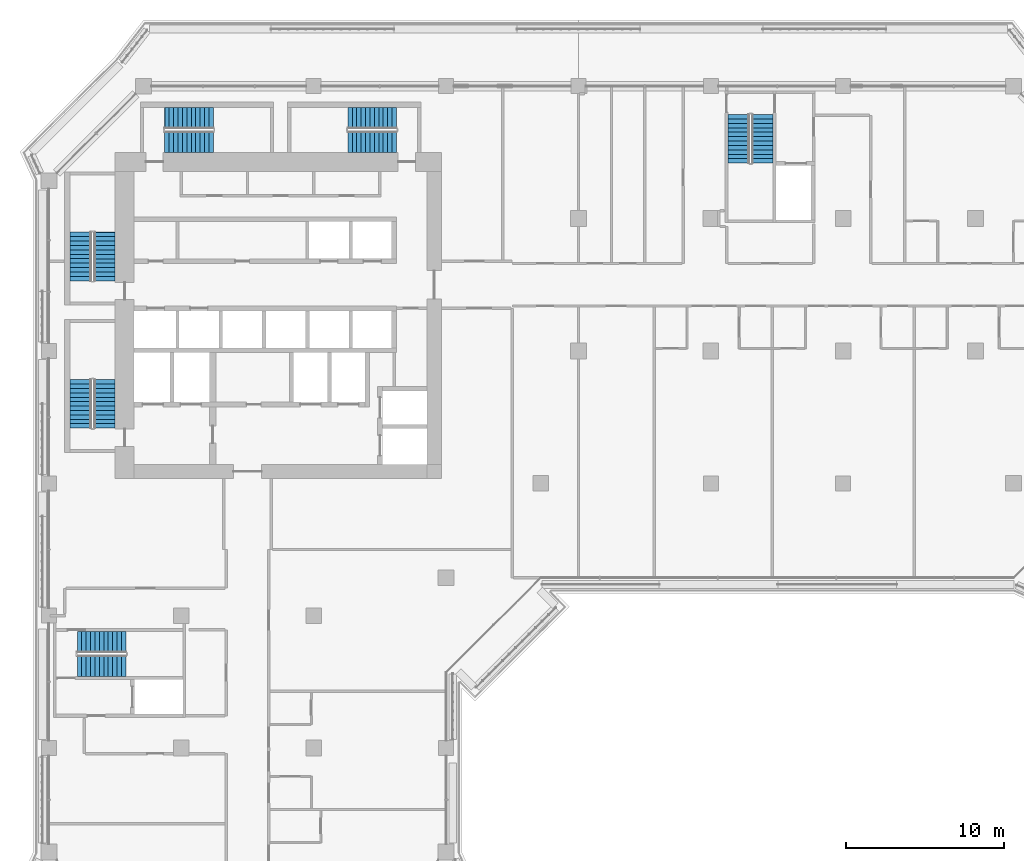
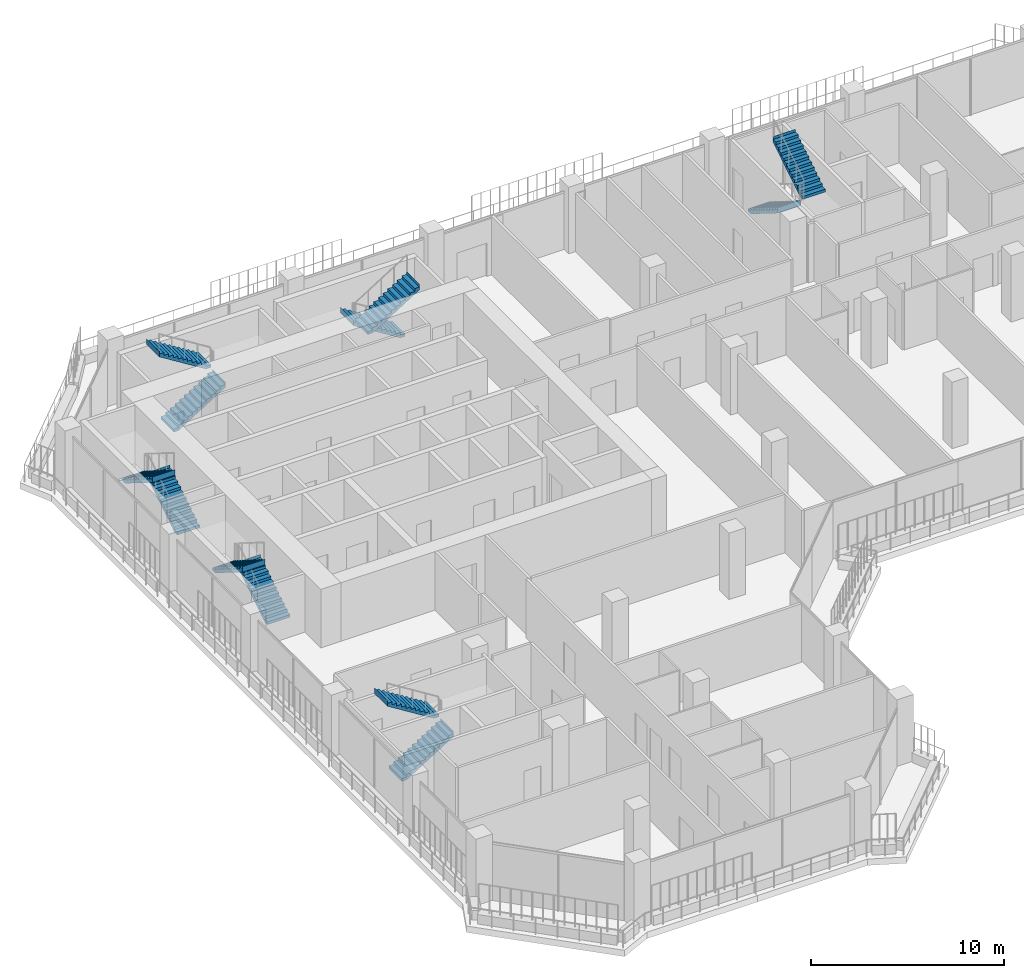
# One storey, part 15 of 22: 12 stair flights, 6 elements without a shape of their own.
"""IFC4 building model written with IfcOpenShell, lengths in metres."""

from ifc_helpers import new_model, si_unit, direction, frame, origin, place, context, subcontext, project, spatial, polyline, outline, extrude, material, type_object, element, aggregate, save


model = new_model("IFC4")

# Units and contexts
model_context = context("Model", 3, precision=1e-05, world=origin(), true_north=direction((0.0, 1.0)))
body_context = subcontext(model_context, "Body", "Model", "MODEL_VIEW")
ifc_project = project(units=[si_unit("LENGTHUNIT", "METRE"), si_unit("AREAUNIT", "SQUARE_METRE"), si_unit("VOLUMEUNIT", "CUBIC_METRE"), si_unit("PLANEANGLEUNIT", "RADIAN"), si_unit("MASSUNIT", "GRAM", prefix="KILO")], contexts=[model_context])

# Site, building, storey
site_placement = place(None, origin())
site = spatial("IfcSite", under=ifc_project, at=site_placement, CompositionType="ELEMENT")
building_placement = place(site_placement, origin())
building = spatial("IfcBuilding", under=site, at=building_placement, Name="Kawkab Arch Medical Tower", CompositionType="ELEMENT")
storey_placement = place(building_placement, frame((0.0, 0.0, 208.800048828125)))
storey = spatial("IfcBuildingStorey", under=building, at=storey_placement, Name="L48", CompositionType="ELEMENT", Elevation=208.800048828125)

# Stair, stair flights
ifc_material_1 = material(Name="Concrete C40/50", Category="concrete")
stair_type = type_object("IfcStairType", Name="Exit stair 1350", PredefinedType="HALF_TURN_STAIR", material=ifc_material_1)
placement = place(storey_placement, origin())
stair_1 = element("IfcStair", 1, at=placement, inside=storey, type_object=stair_type, Name="L48 Exit stair ST1", PredefinedType="HALF_TURN_STAIR")
ifc_material_2 = material(Name="Concrete C40/50", Category="concrete")
stair_flight_type = type_object("IfcStairFlightType", Name="Exit stair flight 1350", PredefinedType="STRAIGHT", material=ifc_material_2)
stair_flight_1_placement = place(storey_placement, frame((3.52490234375, -12.35009765625, 0.0), z_axis=(0.0, 0.0, 1.0), x_axis=(0.0, 1.0, 0.0)))
stair_flight_1 = element("IfcStairFlight", 2, at=stair_flight_1_placement, type_object=stair_flight_type, Name="ST1 flight 1", NumberOfRisers=12, NumberOfTreads=11, PredefinedType="STRAIGHT", RiserHeight=0.175, TreadLength=0.28, context=body_context, shape_type="SweptSolid", body=[
    extrude(outline(polyline([(-0.0029296875, 0.0), (-0.0029296875, 0.175048828125), (0.0, 0.175048828125), (0.280029296875, 0.175048828125), (0.280029296875, 0.35009765625), (0.56005859375, 0.35009765625), (0.56005859375, 0.52490234375), (0.840087890625, 0.52490234375), (0.840087890625, 0.699951171875), (1.1201171875, 0.699951171875), (1.1201171875, 0.875), (1.39990234375, 0.875), (1.39990234375, 1.050048828125), (1.679931640625, 1.050048828125), (1.679931640625, 1.22509765625), (1.9599609375, 1.22509765625), (1.9599609375, 1.39990234375), (2.239990234375, 1.39990234375), (2.239990234375, 1.574951171875), (2.52001953125, 1.574951171875), (2.52001953125, 1.75), (2.800048828125, 1.75), (2.800048828125, 1.925048828125), (3.080078125, 1.925048828125), (3.080078125, 2.10009765625), (3.0830078125, 2.10009765625), (3.0830078125, 1.748291015625), (3.080078125, 1.748291015625), (0.28271484375, 0.0), (-0.0029296875, 0.0)])), frame((0.0, 0.675048828125, 0.0), z_axis=(0.0, -1.0, 0.0), x_axis=(1.0, 0.0, 0.0)), (0.0, 0.0, 1.0), 1.35009765625),
])
stair_flight_2_placement = place(storey_placement, frame((2.02490234375, -9.27001953125, 2.099853515625), z_axis=(0.0, 0.0, 1.0), x_axis=(0.0, -1.0, 0.0)))
stair_flight_2 = element("IfcStairFlight", 3, at=stair_flight_2_placement, type_object=stair_flight_type, Name="ST1 flight 2", NumberOfRisers=12, NumberOfTreads=11, PredefinedType="STRAIGHT", RiserHeight=0.175, TreadLength=0.28, context=body_context, shape_type="SweptSolid", body=[
    extrude(outline(polyline([(-0.0029296875, 0.0), (-0.0029296875, 0.175048828125), (0.0, 0.175048828125), (0.280029296875, 0.175048828125), (0.280029296875, 0.35009765625), (0.56005859375, 0.35009765625), (0.56005859375, 0.52490234375), (0.840087890625, 0.52490234375), (0.840087890625, 0.699951171875), (1.1201171875, 0.699951171875), (1.1201171875, 0.875), (1.39990234375, 0.875), (1.39990234375, 1.050048828125), (1.679931640625, 1.050048828125), (1.679931640625, 1.22509765625), (1.9599609375, 1.22509765625), (1.9599609375, 1.39990234375), (2.239990234375, 1.39990234375), (2.239990234375, 1.574951171875), (2.52001953125, 1.574951171875), (2.52001953125, 1.75), (2.800048828125, 1.75), (2.800048828125, 1.925048828125), (3.080078125, 1.925048828125), (3.080078125, 2.10009765625), (3.0830078125, 2.10009765625), (3.0830078125, 1.748291015625), (3.080078125, 1.748291015625), (0.28271484375, 0.0), (-0.0029296875, 0.0)])), frame((0.0, 0.675048828125, 0.0), z_axis=(0.0, -1.0, 0.0), x_axis=(1.0, 0.0, 0.0)), (0.0, 0.0, 1.0), 1.35009765625),
])
aggregate(stair_1, [stair_flight_1, stair_flight_2])

stair_2 = element("IfcStair", 4, at=placement, inside=storey, type_object=stair_type, Name="L48 Exit stair ST2", PredefinedType="HALF_TURN_STAIR")
stair_flight_3_placement = place(storey_placement, frame((3.52490234375, -21.699951171875, 0.0), z_axis=(0.0, 0.0, 1.0), x_axis=(0.0, 1.0, 0.0)))
stair_flight_3 = element("IfcStairFlight", 5, at=stair_flight_3_placement, type_object=stair_flight_type, Name="ST2 flight 1", NumberOfRisers=12, NumberOfTreads=11, PredefinedType="STRAIGHT", RiserHeight=0.175, TreadLength=0.28, context=body_context, shape_type="SweptSolid", body=[
    extrude(outline(polyline([(-0.0029296875, 0.0), (-0.0029296875, 0.175048828125), (0.0, 0.175048828125), (0.280029296875, 0.175048828125), (0.280029296875, 0.35009765625), (0.56005859375, 0.35009765625), (0.56005859375, 0.52490234375), (0.840087890625, 0.52490234375), (0.840087890625, 0.699951171875), (1.1201171875, 0.699951171875), (1.1201171875, 0.875), (1.39990234375, 0.875), (1.39990234375, 1.050048828125), (1.679931640625, 1.050048828125), (1.679931640625, 1.22509765625), (1.9599609375, 1.22509765625), (1.9599609375, 1.39990234375), (2.239990234375, 1.39990234375), (2.239990234375, 1.574951171875), (2.52001953125, 1.574951171875), (2.52001953125, 1.75), (2.800048828125, 1.75), (2.800048828125, 1.925048828125), (3.080078125, 1.925048828125), (3.080078125, 2.10009765625), (3.0830078125, 2.10009765625), (3.0830078125, 1.748291015625), (3.080078125, 1.748291015625), (0.28271484375, 0.0), (-0.0029296875, 0.0)])), frame((0.0, 0.675048828125, 0.0), z_axis=(0.0, -1.0, 0.0), x_axis=(1.0, 0.0, 0.0)), (0.0, 0.0, 1.0), 1.35009765625),
])
stair_flight_4_placement = place(storey_placement, frame((2.02490234375, -18.6201171875, 2.099853515625), z_axis=(0.0, 0.0, 1.0), x_axis=(0.0, -1.0, 0.0)))
stair_flight_4 = element("IfcStairFlight", 6, at=stair_flight_4_placement, type_object=stair_flight_type, Name="ST2 flight 2", NumberOfRisers=12, NumberOfTreads=11, PredefinedType="STRAIGHT", RiserHeight=0.175, TreadLength=0.28, context=body_context, shape_type="SweptSolid", body=[
    extrude(outline(polyline([(-0.0029296875, 0.0), (-0.0029296875, 0.175048828125), (0.0, 0.175048828125), (0.280029296875, 0.175048828125), (0.280029296875, 0.35009765625), (0.56005859375, 0.35009765625), (0.56005859375, 0.52490234375), (0.840087890625, 0.52490234375), (0.840087890625, 0.699951171875), (1.1201171875, 0.699951171875), (1.1201171875, 0.875), (1.39990234375, 0.875), (1.39990234375, 1.050048828125), (1.679931640625, 1.050048828125), (1.679931640625, 1.22509765625), (1.9599609375, 1.22509765625), (1.9599609375, 1.39990234375), (2.239990234375, 1.39990234375), (2.239990234375, 1.574951171875), (2.52001953125, 1.574951171875), (2.52001953125, 1.75), (2.800048828125, 1.75), (2.800048828125, 1.925048828125), (3.080078125, 1.925048828125), (3.080078125, 2.10009765625), (3.0830078125, 2.10009765625), (3.0830078125, 1.748291015625), (3.080078125, 1.748291015625), (0.28271484375, 0.0), (-0.0029296875, 0.0)])), frame((0.0, 0.675048828125, 0.0), z_axis=(0.0, -1.0, 0.0), x_axis=(1.0, 0.0, 0.0)), (0.0, 0.0, 1.0), 1.35009765625),
])
aggregate(stair_2, [stair_flight_3, stair_flight_4])

stair_3 = element("IfcStair", 7, at=placement, inside=storey, type_object=stair_type, Name="L48 Exit stair ST3", PredefinedType="HALF_TURN_STAIR")
stair_flight_5_placement = place(storey_placement, frame((7.35009765625, -3.52490234375, 0.0), z_axis=(0.0, 0.0, 1.0), x_axis=(1.0, 0.0, 0.0)))
stair_flight_5 = element("IfcStairFlight", 8, at=stair_flight_5_placement, type_object=stair_flight_type, Name="ST3 flight 1", NumberOfRisers=12, NumberOfTreads=11, PredefinedType="STRAIGHT", RiserHeight=0.175, TreadLength=0.28, context=body_context, shape_type="SweptSolid", body=[
    extrude(outline(polyline([(-0.0029296875, 0.0), (-0.0029296875, 0.175048828125), (0.0, 0.175048828125), (0.280029296875, 0.175048828125), (0.280029296875, 0.35009765625), (0.56005859375, 0.35009765625), (0.56005859375, 0.52490234375), (0.840087890625, 0.52490234375), (0.840087890625, 0.699951171875), (1.1201171875, 0.699951171875), (1.1201171875, 0.875), (1.39990234375, 0.875), (1.39990234375, 1.050048828125), (1.679931640625, 1.050048828125), (1.679931640625, 1.22509765625), (1.9599609375, 1.22509765625), (1.9599609375, 1.39990234375), (2.239990234375, 1.39990234375), (2.239990234375, 1.574951171875), (2.52001953125, 1.574951171875), (2.52001953125, 1.75), (2.800048828125, 1.75), (2.800048828125, 1.925048828125), (3.080078125, 1.925048828125), (3.080078125, 2.10009765625), (3.0830078125, 2.10009765625), (3.0830078125, 1.748291015625), (3.080078125, 1.748291015625), (0.28271484375, 0.0), (-0.0029296875, 0.0)])), frame((0.0, 0.675048828125, 0.0), z_axis=(0.0, -1.0, 0.0), x_axis=(1.0, 0.0, 0.0)), (0.0, 0.0, 1.0), 1.35009765625),
])
stair_flight_6_placement = place(storey_placement, frame((10.429931640625, -2.02490234375, 2.099853515625), z_axis=(0.0, 0.0, 1.0), x_axis=(-1.0, 0.0, 0.0)))
stair_flight_6 = element("IfcStairFlight", 9, at=stair_flight_6_placement, type_object=stair_flight_type, Name="ST3 flight 2", NumberOfRisers=12, NumberOfTreads=11, PredefinedType="STRAIGHT", RiserHeight=0.175, TreadLength=0.28, context=body_context, shape_type="SweptSolid", body=[
    extrude(outline(polyline([(-0.0029296875, 0.0), (-0.0029296875, 0.175048828125), (0.0, 0.175048828125), (0.280029296875, 0.175048828125), (0.280029296875, 0.35009765625), (0.56005859375, 0.35009765625), (0.56005859375, 0.52490234375), (0.840087890625, 0.52490234375), (0.840087890625, 0.699951171875), (1.1201171875, 0.699951171875), (1.1201171875, 0.875), (1.39990234375, 0.875), (1.39990234375, 1.050048828125), (1.679931640625, 1.050048828125), (1.679931640625, 1.22509765625), (1.9599609375, 1.22509765625), (1.9599609375, 1.39990234375), (2.239990234375, 1.39990234375), (2.239990234375, 1.574951171875), (2.52001953125, 1.574951171875), (2.52001953125, 1.75), (2.800048828125, 1.75), (2.800048828125, 1.925048828125), (3.080078125, 1.925048828125), (3.080078125, 2.10009765625), (3.0830078125, 2.10009765625), (3.0830078125, 1.748291015625), (3.080078125, 1.748291015625), (0.28271484375, 0.0), (-0.0029296875, 0.0)])), frame((0.0, 0.675048828125, 0.0), z_axis=(0.0, -1.0, 0.0), x_axis=(1.0, 0.0, 0.0)), (0.0, 0.0, 1.0), 1.35009765625),
])
aggregate(stair_3, [stair_flight_5, stair_flight_6])

stair_4 = element("IfcStair", 10, at=placement, inside=storey, type_object=stair_type, Name="L48 Exit stair ST4", PredefinedType="HALF_TURN_STAIR")
stair_flight_7_placement = place(storey_placement, frame((22.050048828125, -2.02490234375, 0.0), z_axis=(0.0, 0.0, 1.0), x_axis=(-1.0, 0.0, 0.0)))
stair_flight_7 = element("IfcStairFlight", 11, at=stair_flight_7_placement, type_object=stair_flight_type, Name="ST4 flight 1", NumberOfRisers=12, NumberOfTreads=11, PredefinedType="STRAIGHT", RiserHeight=0.175, TreadLength=0.28, context=body_context, shape_type="SweptSolid", body=[
    extrude(outline(polyline([(-0.0029296875, 0.0), (-0.0029296875, 0.175048828125), (0.0, 0.175048828125), (0.280029296875, 0.175048828125), (0.280029296875, 0.35009765625), (0.56005859375, 0.35009765625), (0.56005859375, 0.52490234375), (0.840087890625, 0.52490234375), (0.840087890625, 0.699951171875), (1.1201171875, 0.699951171875), (1.1201171875, 0.875), (1.39990234375, 0.875), (1.39990234375, 1.050048828125), (1.679931640625, 1.050048828125), (1.679931640625, 1.22509765625), (1.9599609375, 1.22509765625), (1.9599609375, 1.39990234375), (2.239990234375, 1.39990234375), (2.239990234375, 1.574951171875), (2.52001953125, 1.574951171875), (2.52001953125, 1.75), (2.800048828125, 1.75), (2.800048828125, 1.925048828125), (3.080078125, 1.925048828125), (3.080078125, 2.10009765625), (3.0830078125, 2.10009765625), (3.0830078125, 1.748291015625), (3.080078125, 1.748291015625), (0.28271484375, 0.0), (-0.0029296875, 0.0)])), frame((0.0, 0.675048828125, 0.0), z_axis=(0.0, -1.0, 0.0), x_axis=(1.0, 0.0, 0.0)), (0.0, 0.0, 1.0), 1.35009765625),
])
stair_flight_8_placement = place(storey_placement, frame((18.969970703125, -3.52490234375, 2.099853515625), z_axis=(0.0, 0.0, 1.0), x_axis=(1.0, 0.0, 0.0)))
stair_flight_8 = element("IfcStairFlight", 12, at=stair_flight_8_placement, type_object=stair_flight_type, Name="ST4 flight 2", NumberOfRisers=12, NumberOfTreads=11, PredefinedType="STRAIGHT", RiserHeight=0.175, TreadLength=0.28, context=body_context, shape_type="SweptSolid", body=[
    extrude(outline(polyline([(-0.0029296875, 0.0), (-0.0029296875, 0.175048828125), (0.0, 0.175048828125), (0.280029296875, 0.175048828125), (0.280029296875, 0.35009765625), (0.56005859375, 0.35009765625), (0.56005859375, 0.52490234375), (0.840087890625, 0.52490234375), (0.840087890625, 0.699951171875), (1.1201171875, 0.699951171875), (1.1201171875, 0.875), (1.39990234375, 0.875), (1.39990234375, 1.050048828125), (1.679931640625, 1.050048828125), (1.679931640625, 1.22509765625), (1.9599609375, 1.22509765625), (1.9599609375, 1.39990234375), (2.239990234375, 1.39990234375), (2.239990234375, 1.574951171875), (2.52001953125, 1.574951171875), (2.52001953125, 1.75), (2.800048828125, 1.75), (2.800048828125, 1.925048828125), (3.080078125, 1.925048828125), (3.080078125, 2.10009765625), (3.0830078125, 2.10009765625), (3.0830078125, 1.748291015625), (3.080078125, 1.748291015625), (0.28271484375, 0.0), (-0.0029296875, 0.0)])), frame((0.0, 0.675048828125, 0.0), z_axis=(0.0, -1.0, 0.0), x_axis=(1.0, 0.0, 0.0)), (0.0, 0.0, 1.0), 1.35009765625),
])
aggregate(stair_4, [stair_flight_7, stair_flight_8])

stair_5 = element("IfcStair", 13, at=placement, inside=storey, type_object=stair_type, Name="L48 Exit stair ST5", PredefinedType="HALF_TURN_STAIR")
stair_flight_9_placement = place(storey_placement, frame((43.77490234375, -1.800048828125, 0.0), z_axis=(0.0, 0.0, 1.0), x_axis=(0.0, -1.0, 0.0)))
stair_flight_9 = element("IfcStairFlight", 14, at=stair_flight_9_placement, type_object=stair_flight_type, Name="ST5 flight 1", NumberOfRisers=12, NumberOfTreads=11, PredefinedType="STRAIGHT", RiserHeight=0.175, TreadLength=0.28, context=body_context, shape_type="SweptSolid", body=[
    extrude(outline(polyline([(-0.0029296875, 0.0), (-0.0029296875, 0.175048828125), (0.0, 0.175048828125), (0.280029296875, 0.175048828125), (0.280029296875, 0.35009765625), (0.56005859375, 0.35009765625), (0.56005859375, 0.52490234375), (0.840087890625, 0.52490234375), (0.840087890625, 0.699951171875), (1.1201171875, 0.699951171875), (1.1201171875, 0.875), (1.39990234375, 0.875), (1.39990234375, 1.050048828125), (1.679931640625, 1.050048828125), (1.679931640625, 1.22509765625), (1.9599609375, 1.22509765625), (1.9599609375, 1.39990234375), (2.239990234375, 1.39990234375), (2.239990234375, 1.574951171875), (2.52001953125, 1.574951171875), (2.52001953125, 1.75), (2.800048828125, 1.75), (2.800048828125, 1.925048828125), (3.080078125, 1.925048828125), (3.080078125, 2.10009765625), (3.0830078125, 2.10009765625), (3.0830078125, 1.748291015625), (3.080078125, 1.748291015625), (0.28271484375, 0.0), (-0.0029296875, 0.0)])), frame((0.0, 0.675048828125, 0.0), z_axis=(0.0, -1.0, 0.0), x_axis=(1.0, 0.0, 0.0)), (0.0, 0.0, 1.0), 1.35009765625),
])
stair_flight_10_placement = place(storey_placement, frame((45.27490234375, -4.8798828125, 2.099853515625), z_axis=(0.0, 0.0, 1.0), x_axis=(0.0, 1.0, 0.0)))
stair_flight_10 = element("IfcStairFlight", 15, at=stair_flight_10_placement, type_object=stair_flight_type, Name="ST5 flight 2", NumberOfRisers=12, NumberOfTreads=11, PredefinedType="STRAIGHT", RiserHeight=0.175, TreadLength=0.28, context=body_context, shape_type="SweptSolid", body=[
    extrude(outline(polyline([(-0.0029296875, 0.0), (-0.0029296875, 0.175048828125), (0.0, 0.175048828125), (0.280029296875, 0.175048828125), (0.280029296875, 0.35009765625), (0.56005859375, 0.35009765625), (0.56005859375, 0.52490234375), (0.840087890625, 0.52490234375), (0.840087890625, 0.699951171875), (1.1201171875, 0.699951171875), (1.1201171875, 0.875), (1.39990234375, 0.875), (1.39990234375, 1.050048828125), (1.679931640625, 1.050048828125), (1.679931640625, 1.22509765625), (1.9599609375, 1.22509765625), (1.9599609375, 1.39990234375), (2.239990234375, 1.39990234375), (2.239990234375, 1.574951171875), (2.52001953125, 1.574951171875), (2.52001953125, 1.75), (2.800048828125, 1.75), (2.800048828125, 1.925048828125), (3.080078125, 1.925048828125), (3.080078125, 2.10009765625), (3.0830078125, 2.10009765625), (3.0830078125, 1.748291015625), (3.080078125, 1.748291015625), (0.28271484375, 0.0), (-0.0029296875, 0.0)])), frame((0.0, 0.675048828125, 0.0), z_axis=(0.0, -1.0, 0.0), x_axis=(1.0, 0.0, 0.0)), (0.0, 0.0, 1.0), 1.35009765625),
])
aggregate(stair_5, [stair_flight_9, stair_flight_10])

stair_6 = element("IfcStair", 16, at=placement, inside=storey, type_object=stair_type, Name="L48 Exit stair ST6", PredefinedType="HALF_TURN_STAIR")
stair_flight_11_placement = place(storey_placement, frame((1.800048828125, -36.77490234375, 0.0), z_axis=(0.0, 0.0, 1.0), x_axis=(1.0, 0.0, 0.0)))
stair_flight_11 = element("IfcStairFlight", 17, at=stair_flight_11_placement, type_object=stair_flight_type, Name="ST6 flight 1", NumberOfRisers=12, NumberOfTreads=11, PredefinedType="STRAIGHT", RiserHeight=0.175, TreadLength=0.28, context=body_context, shape_type="SweptSolid", body=[
    extrude(outline(polyline([(-0.0029296875, 0.0), (-0.0029296875, 0.175048828125), (0.0, 0.175048828125), (0.280029296875, 0.175048828125), (0.280029296875, 0.35009765625), (0.56005859375, 0.35009765625), (0.56005859375, 0.52490234375), (0.840087890625, 0.52490234375), (0.840087890625, 0.699951171875), (1.1201171875, 0.699951171875), (1.1201171875, 0.875), (1.39990234375, 0.875), (1.39990234375, 1.050048828125), (1.679931640625, 1.050048828125), (1.679931640625, 1.22509765625), (1.9599609375, 1.22509765625), (1.9599609375, 1.39990234375), (2.239990234375, 1.39990234375), (2.239990234375, 1.574951171875), (2.52001953125, 1.574951171875), (2.52001953125, 1.75), (2.800048828125, 1.75), (2.800048828125, 1.925048828125), (3.080078125, 1.925048828125), (3.080078125, 2.10009765625), (3.0830078125, 2.10009765625), (3.0830078125, 1.748291015625), (3.080078125, 1.748291015625), (0.28271484375, 0.0), (-0.0029296875, 0.0)])), frame((0.0, 0.675048828125, 0.0), z_axis=(0.0, -1.0, 0.0), x_axis=(1.0, 0.0, 0.0)), (0.0, 0.0, 1.0), 1.35009765625),
])
stair_flight_12_placement = place(storey_placement, frame((4.8798828125, -35.27490234375, 2.099853515625), z_axis=(0.0, 0.0, 1.0), x_axis=(-1.0, 0.0, 0.0)))
stair_flight_12 = element("IfcStairFlight", 18, at=stair_flight_12_placement, type_object=stair_flight_type, Name="ST6 flight 2", NumberOfRisers=12, NumberOfTreads=11, PredefinedType="STRAIGHT", RiserHeight=0.175, TreadLength=0.28, context=body_context, shape_type="SweptSolid", body=[
    extrude(outline(polyline([(-0.0029296875, 0.0), (-0.0029296875, 0.175048828125), (0.0, 0.175048828125), (0.280029296875, 0.175048828125), (0.280029296875, 0.35009765625), (0.56005859375, 0.35009765625), (0.56005859375, 0.52490234375), (0.840087890625, 0.52490234375), (0.840087890625, 0.699951171875), (1.1201171875, 0.699951171875), (1.1201171875, 0.875), (1.39990234375, 0.875), (1.39990234375, 1.050048828125), (1.679931640625, 1.050048828125), (1.679931640625, 1.22509765625), (1.9599609375, 1.22509765625), (1.9599609375, 1.39990234375), (2.239990234375, 1.39990234375), (2.239990234375, 1.574951171875), (2.52001953125, 1.574951171875), (2.52001953125, 1.75), (2.800048828125, 1.75), (2.800048828125, 1.925048828125), (3.080078125, 1.925048828125), (3.080078125, 2.10009765625), (3.0830078125, 2.10009765625), (3.0830078125, 1.748291015625), (3.080078125, 1.748291015625), (0.28271484375, 0.0), (-0.0029296875, 0.0)])), frame((0.0, 0.675048828125, 0.0), z_axis=(0.0, -1.0, 0.0), x_axis=(1.0, 0.0, 0.0)), (0.0, 0.0, 1.0), 1.35009765625),
])
aggregate(stair_6, [stair_flight_11, stair_flight_12])

save(model, "model.ifc")
